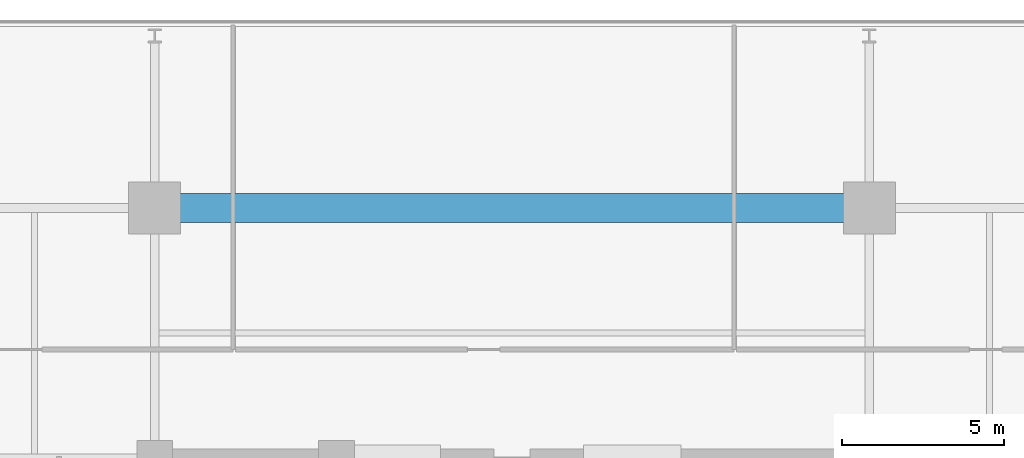
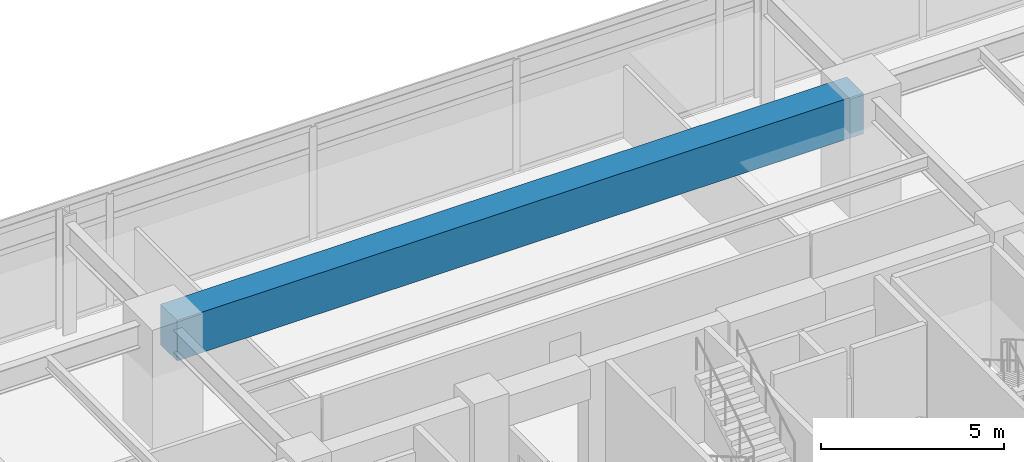
# One storey, part 9 of 23: 1 beam.
"""IFC4 building model written with IfcOpenShell, lengths in metres."""

from ifc_helpers import new_model, si_unit, direction, frame, origin, origin_2d, place, context, subcontext, project, spatial, rectangle, extrude, material, material_profile, profile_set, type_object, element, save


model = new_model("IFC4")

# Units and contexts
model_context = context("Model", 3, precision=1e-05, world=origin(), true_north=direction((0.0, 1.0)))
body_context = subcontext(model_context, "Body", "Model", "MODEL_VIEW")
ifc_project = project(units=[si_unit("LENGTHUNIT", "METRE"), si_unit("AREAUNIT", "SQUARE_METRE"), si_unit("VOLUMEUNIT", "CUBIC_METRE"), si_unit("PLANEANGLEUNIT", "RADIAN"), si_unit("MASSUNIT", "GRAM", prefix="KILO")], contexts=[model_context])

# Site, building, storey
site_placement = place(None, origin())
site = spatial("IfcSite", under=ifc_project, at=site_placement, CompositionType="ELEMENT")
building_placement = place(site_placement, origin())
building = spatial("IfcBuilding", under=site, at=building_placement, Name="Kovane Verandah Tower", CompositionType="ELEMENT")
storey_placement = place(building_placement, frame((0.0, 0.0, 140.39990234375)))
storey = spatial("IfcBuildingStorey", under=building, at=storey_placement, Name="L32", CompositionType="ELEMENT", Elevation=140.39990234375)

# Beam
ifc_material = material(Name="Concrete C80/95", Category="concrete")
ifc_material_profile = material_profile(ifc_material, rectangle(XDim=0.89990234375, YDim=1.35009765625, at=origin_2d()), Name="RCB900x1350")
ifc_profile_set = profile_set([ifc_material_profile], Name="Concrete C80/95")
beam_type = type_object("IfcBeamType", Name="BM-TR-900x1350", PredefinedType="BEAM", material=ifc_profile_set)
beam_placement = place(storey_placement, frame((29.179931640625, 44.199951171875, 3.10009765625), z_axis=(1.0, 0.0, 0.0), x_axis=(0.0, 1.0, 0.0)))
element("IfcBeam", 1, at=beam_placement, inside=storey, type_object=beam_type, Name="L32 Primary Tower Girder G-RN2", PredefinedType="BEAM", context=body_context, shape_type="SweptSolid", body=[
    extrude(rectangle(XDim=0.89990234375, YDim=1.35009765625, at=origin_2d()), origin(), (0.0, 0.0, 1.0), 21.64013671875),
])

save(model, "model.ifc")
